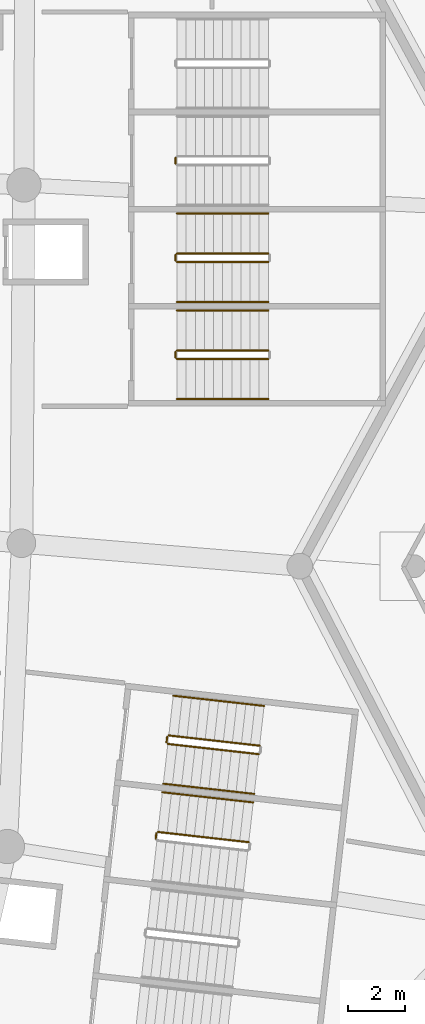
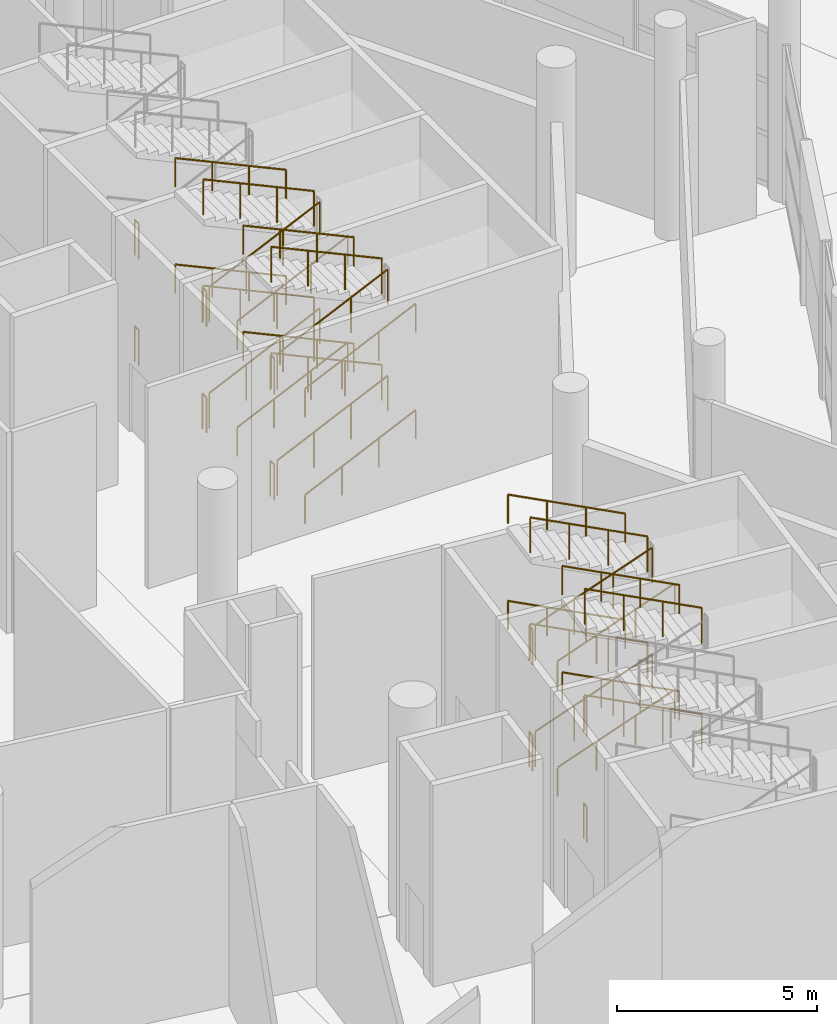
# One storey, part 218 of 255: 38 railings.
"""IFC4 building model written with IfcOpenShell, lengths in metres."""

from ifc_helpers import new_model, si_unit, direction, frame, origin, origin_2d, place, context, subcontext, project, spatial, circle, extrude, material, type_object, element, save


model = new_model("IFC4")

# Units and contexts
model_context = context("Model", 3, precision=1e-05, world=origin(), true_north=direction((0.0, 1.0)))
body_context = subcontext(model_context, "Body", "Model", "MODEL_VIEW")
ifc_project = project(units=[si_unit("LENGTHUNIT", "METRE"), si_unit("AREAUNIT", "SQUARE_METRE"), si_unit("VOLUMEUNIT", "CUBIC_METRE"), si_unit("PLANEANGLEUNIT", "RADIAN"), si_unit("MASSUNIT", "GRAM", prefix="KILO")], contexts=[model_context])

# Site, building, storey
site_placement = place(None, origin())
site = spatial("IfcSite", under=ifc_project, at=site_placement, CompositionType="ELEMENT")
building_placement = place(site_placement, origin())
building = spatial("IfcBuilding", under=site, at=building_placement, Name="Meseta Stadium", CompositionType="ELEMENT")
storey_placement = place(building_placement, origin())
storey = spatial("IfcBuildingStorey", under=building, at=storey_placement, Name="L00", CompositionType="ELEMENT", Elevation=0.0)

# Railings
ifc_material_1 = material(Name="Steel S355", Category="steel")
railing_type_1 = type_object("IfcRailingType", Name="Stair guard 1100", PredefinedType="GUARDRAIL", material=ifc_material_1)
railing_1_placement = place(storey_placement, frame((92.812255859375, -53.412841796875, 1.772705078125)))
element("IfcRailing", 1, at=railing_1_placement, inside=storey, type_object=railing_type_1, Name="ST3 L00 guard 3", PredefinedType="GUARDRAIL", context=body_context, shape_type="SweptSolid", body=[
    extrude(circle(Radius=0.02392578125, at=origin_2d()), frame((0.0, 0.0, 1.076171875), z_axis=(-0.902210289302, 0.10168481418, 0.419138154362), x_axis=(-0.111997244021, -0.993708517288, 0.0)), (0.0, 0.0, 1.0), 3.524658203125),
    extrude(circle(Radius=0.02099609375, at=origin_2d()), origin(), (0.0, 0.0, 1.0), 1.052001953125),
    extrude(circle(Radius=0.02099609375, at=origin_2d()), frame((-1.06005859375, 0.119384765625, 0.492431640625)), (0.0, 0.0, 1.0), 1.052001953125),
    extrude(circle(Radius=0.02099609375, at=origin_2d()), frame((-2.119873046875, 0.239013671875, 0.98486328125)), (0.0, 0.0, 1.0), 1.052001953125),
    extrude(circle(Radius=0.02099609375, at=origin_2d()), frame((-3.179931640625, 0.3583984375, 1.477294921875)), (0.0, 0.0, 1.0), 1.052001953125),
])
railing_2_placement = place(storey_placement, frame((89.5546875, -53.29736328125, 3.25)))
element("IfcRailing", 2, at=railing_2_placement, inside=storey, type_object=railing_type_1, Name="ST3 L00 guard 4", PredefinedType="GUARDRAIL", context=body_context, shape_type="SweptSolid", body=[
    extrude(circle(Radius=0.02392578125, at=origin_2d()), frame((0.0, 0.0, 1.076171875), z_axis=(0.112307083986, 0.993673547442, 0.0), x_axis=(-0.993673547442, 0.112307083986, 0.0)), (0.0, 0.0, 1.0), 0.199951171875),
    extrude(circle(Radius=0.02099609375, at=origin_2d()), origin(), (0.0, 0.0, 1.0), 1.052001953125),
    extrude(circle(Radius=0.02099609375, at=origin_2d()), frame((0.0224609375, 0.19873046875, 0.0)), (0.0, 0.0, 1.0), 1.052001953125),
])
railing_3_placement = place(storey_placement, frame((92.812255859375, -53.412841796875, 5.022705078125)))
element("IfcRailing", 3, at=railing_3_placement, inside=storey, type_object=railing_type_1, Name="ST3 L00 guard 7", PredefinedType="GUARDRAIL", context=body_context, shape_type="SweptSolid", body=[
    extrude(circle(Radius=0.02392578125, at=origin_2d()), frame((0.0, 0.0, 1.076171875), z_axis=(-0.902210289302, 0.10168481418, 0.419138154362), x_axis=(-0.111997244021, -0.993708517288, 0.0)), (0.0, 0.0, 1.0), 3.524658203125),
    extrude(circle(Radius=0.02099609375, at=origin_2d()), origin(), (0.0, 0.0, 1.0), 1.052001953125),
    extrude(circle(Radius=0.02099609375, at=origin_2d()), frame((-1.06005859375, 0.119384765625, 0.492431640625)), (0.0, 0.0, 1.0), 1.052001953125),
    extrude(circle(Radius=0.02099609375, at=origin_2d()), frame((-2.119873046875, 0.239013671875, 0.98486328125)), (0.0, 0.0, 1.0), 1.052001953125),
    extrude(circle(Radius=0.02099609375, at=origin_2d()), frame((-3.179931640625, 0.3583984375, 1.477294921875)), (0.0, 0.0, 1.0), 1.052001953125),
])
railing_4_placement = place(storey_placement, frame((89.5546875, -53.29736328125, 0.0)))
element("IfcRailing", 4, at=railing_4_placement, inside=storey, type_object=railing_type_1, Name="ST3 L00 guard 8", PredefinedType="GUARDRAIL", context=body_context, shape_type="SweptSolid", body=[
    extrude(circle(Radius=0.02392578125, at=origin_2d()), frame((0.0, 0.0, 1.076171875), z_axis=(0.112307083986, 0.993673547442, 0.0), x_axis=(-0.993673547442, 0.112307083986, 0.0)), (0.0, 0.0, 1.0), 0.199951171875),
    extrude(circle(Radius=0.02099609375, at=origin_2d()), origin(), (0.0, 0.0, 1.0), 1.052001953125),
    extrude(circle(Radius=0.02099609375, at=origin_2d()), frame((0.0224609375, 0.19873046875, 0.0)), (0.0, 0.0, 1.0), 1.052001953125),
])
railing_5_placement = place(storey_placement, frame((89.9794921875, -49.973876953125, 0.147705078125)))
element("IfcRailing", 5, at=railing_5_placement, inside=storey, type_object=railing_type_1, Name="ST4 L00 guard 1", PredefinedType="GUARDRAIL", context=body_context, shape_type="SweptSolid", body=[
    extrude(circle(Radius=0.02392578125, at=origin_2d()), frame((0.0, 0.0, 1.076171875), z_axis=(0.902210289302, -0.10168481418, 0.419138154362), x_axis=(0.111997244021, 0.993708517288, 0.0)), (0.0, 0.0, 1.0), 3.524658203125),
    extrude(circle(Radius=0.02099609375, at=origin_2d()), origin(), (0.0, 0.0, 1.0), 1.052001953125),
    extrude(circle(Radius=0.02099609375, at=origin_2d()), frame((1.06005859375, -0.119384765625, 0.492431640625)), (0.0, 0.0, 1.0), 1.052001953125),
    extrude(circle(Radius=0.02099609375, at=origin_2d()), frame((2.119873046875, -0.239013671875, 0.98486328125)), (0.0, 0.0, 1.0), 1.052001953125),
    extrude(circle(Radius=0.02099609375, at=origin_2d()), frame((3.179931640625, -0.3583984375, 1.477294921875)), (0.0, 0.0, 1.0), 1.052001953125),
])
railing_6_placement = place(storey_placement, frame((93.19287109375, -50.0341796875, 1.772705078125)))
element("IfcRailing", 6, at=railing_6_placement, inside=storey, type_object=railing_type_1, Name="ST4 L00 guard 3", PredefinedType="GUARDRAIL", context=body_context, shape_type="SweptSolid", body=[
    extrude(circle(Radius=0.02392578125, at=origin_2d()), frame((0.0, 0.0, 1.076171875), z_axis=(-0.902210289302, 0.10168481418, 0.419138154362), x_axis=(-0.111997244021, -0.993708517288, 0.0)), (0.0, 0.0, 1.0), 3.524658203125),
    extrude(circle(Radius=0.02099609375, at=origin_2d()), origin(), (0.0, 0.0, 1.0), 1.052001953125),
    extrude(circle(Radius=0.02099609375, at=origin_2d()), frame((-1.06005859375, 0.119384765625, 0.492431640625)), (0.0, 0.0, 1.0), 1.052001953125),
    extrude(circle(Radius=0.02099609375, at=origin_2d()), frame((-2.119873046875, 0.239013671875, 0.98486328125)), (0.0, 0.0, 1.0), 1.052001953125),
    extrude(circle(Radius=0.02099609375, at=origin_2d()), frame((-3.179931640625, 0.3583984375, 1.477294921875)), (0.0, 0.0, 1.0), 1.052001953125),
])
railing_7_placement = place(storey_placement, frame((89.935302734375, -49.918701171875, 3.25)))
element("IfcRailing", 7, at=railing_7_placement, inside=storey, type_object=railing_type_1, Name="ST4 L00 guard 4", PredefinedType="GUARDRAIL", context=body_context, shape_type="SweptSolid", body=[
    extrude(circle(Radius=0.02392578125, at=origin_2d()), frame((0.0, 0.0, 1.076171875), z_axis=(0.112307083986, 0.993673547442, 0.0), x_axis=(-0.993673547442, 0.112307083986, 0.0)), (0.0, 0.0, 1.0), 0.199951171875),
    extrude(circle(Radius=0.02099609375, at=origin_2d()), origin(), (0.0, 0.0, 1.0), 1.052001953125),
    extrude(circle(Radius=0.02099609375, at=origin_2d()), frame((0.0224609375, 0.19873046875, 0.0)), (0.0, 0.0, 1.0), 1.052001953125),
])
railing_8_placement = place(storey_placement, frame((89.9794921875, -49.973876953125, 3.397705078125)))
element("IfcRailing", 8, at=railing_8_placement, inside=storey, type_object=railing_type_1, Name="ST4 L00 guard 5", PredefinedType="GUARDRAIL", context=body_context, shape_type="SweptSolid", body=[
    extrude(circle(Radius=0.02392578125, at=origin_2d()), frame((0.0, 0.0, 1.076171875), z_axis=(0.902210289302, -0.10168481418, 0.419138154362), x_axis=(0.111997244021, 0.993708517288, 0.0)), (0.0, 0.0, 1.0), 3.524658203125),
    extrude(circle(Radius=0.02099609375, at=origin_2d()), origin(), (0.0, 0.0, 1.0), 1.052001953125),
    extrude(circle(Radius=0.02099609375, at=origin_2d()), frame((1.06005859375, -0.119384765625, 0.492431640625)), (0.0, 0.0, 1.0), 1.052001953125),
    extrude(circle(Radius=0.02099609375, at=origin_2d()), frame((2.119873046875, -0.239013671875, 0.98486328125)), (0.0, 0.0, 1.0), 1.052001953125),
    extrude(circle(Radius=0.02099609375, at=origin_2d()), frame((3.179931640625, -0.3583984375, 1.477294921875)), (0.0, 0.0, 1.0), 1.052001953125),
])
railing_9_placement = place(storey_placement, frame((93.19287109375, -50.0341796875, 5.022705078125)))
element("IfcRailing", 9, at=railing_9_placement, inside=storey, type_object=railing_type_1, Name="ST4 L00 guard 7", PredefinedType="GUARDRAIL", context=body_context, shape_type="SweptSolid", body=[
    extrude(circle(Radius=0.02392578125, at=origin_2d()), frame((0.0, 0.0, 1.076171875), z_axis=(-0.902210289302, 0.10168481418, 0.419138154362), x_axis=(-0.111997244021, -0.993708517288, 0.0)), (0.0, 0.0, 1.0), 3.524658203125),
    extrude(circle(Radius=0.02099609375, at=origin_2d()), origin(), (0.0, 0.0, 1.0), 1.052001953125),
    extrude(circle(Radius=0.02099609375, at=origin_2d()), frame((-1.06005859375, 0.119384765625, 0.492431640625)), (0.0, 0.0, 1.0), 1.052001953125),
    extrude(circle(Radius=0.02099609375, at=origin_2d()), frame((-2.119873046875, 0.239013671875, 0.98486328125)), (0.0, 0.0, 1.0), 1.052001953125),
    extrude(circle(Radius=0.02099609375, at=origin_2d()), frame((-3.179931640625, 0.3583984375, 1.477294921875)), (0.0, 0.0, 1.0), 1.052001953125),
])
railing_10_placement = place(storey_placement, frame((89.935302734375, -49.918701171875, 0.0)))
element("IfcRailing", 10, at=railing_10_placement, inside=storey, type_object=railing_type_1, Name="ST4 L00 guard 8", PredefinedType="GUARDRAIL", context=body_context, shape_type="SweptSolid", body=[
    extrude(circle(Radius=0.02392578125, at=origin_2d()), frame((0.0, 0.0, 1.076171875), z_axis=(0.112307083986, 0.993673547442, 0.0), x_axis=(-0.993673547442, 0.112307083986, 0.0)), (0.0, 0.0, 1.0), 0.199951171875),
    extrude(circle(Radius=0.02099609375, at=origin_2d()), origin(), (0.0, 0.0, 1.0), 1.052001953125),
    extrude(circle(Radius=0.02099609375, at=origin_2d()), frame((0.0224609375, 0.19873046875, 0.0)), (0.0, 0.0, 1.0), 1.052001953125),
])
railing_11_placement = place(storey_placement, frame((90.300048828125, -36.5, 0.147705078125)))
element("IfcRailing", 11, at=railing_11_placement, inside=storey, type_object=railing_type_1, Name="ST5 L00 guard 1", PredefinedType="GUARDRAIL", context=body_context, shape_type="SweptSolid", body=[
    extrude(circle(Radius=0.02392578125, at=origin_2d()), frame((0.0, 0.0, 1.076171875), z_axis=(0.907916804346, 0.0, 0.419150422148), x_axis=(0.0, 1.0, 0.0)), (0.0, 0.0, 1.0), 3.5244140625),
    extrude(circle(Radius=0.02099609375, at=origin_2d()), origin(), (0.0, 0.0, 1.0), 1.052001953125),
    extrude(circle(Radius=0.02099609375, at=origin_2d()), frame((1.066650390625, 0.0, 0.492431640625)), (0.0, 0.0, 1.0), 1.052001953125),
    extrude(circle(Radius=0.02099609375, at=origin_2d()), frame((2.13330078125, 0.0, 0.98486328125)), (0.0, 0.0, 1.0), 1.052001953125),
    extrude(circle(Radius=0.02099609375, at=origin_2d()), frame((3.199951171875, 0.0, 1.477294921875)), (0.0, 0.0, 1.0), 1.052001953125),
])
railing_12_placement = place(storey_placement, frame((93.5, -36.199951171875, 1.772705078125)))
element("IfcRailing", 12, at=railing_12_placement, inside=storey, type_object=railing_type_1, Name="ST5 L00 guard 3", PredefinedType="GUARDRAIL", context=body_context, shape_type="SweptSolid", body=[
    extrude(circle(Radius=0.02392578125, at=origin_2d()), frame((0.0, 0.0, 1.076171875), z_axis=(-0.907916804346, 0.0, 0.419150422148), x_axis=(0.0, -1.0, 0.0)), (0.0, 0.0, 1.0), 3.5244140625),
    extrude(circle(Radius=0.02099609375, at=origin_2d()), origin(), (0.0, 0.0, 1.0), 1.052001953125),
    extrude(circle(Radius=0.02099609375, at=origin_2d()), frame((-1.066650390625, 0.0, 0.492431640625)), (0.0, 0.0, 1.0), 1.052001953125),
    extrude(circle(Radius=0.02099609375, at=origin_2d()), frame((-2.13330078125, 0.0, 0.98486328125)), (0.0, 0.0, 1.0), 1.052001953125),
    extrude(circle(Radius=0.02099609375, at=origin_2d()), frame((-3.199951171875, 0.0, 1.477294921875)), (0.0, 0.0, 1.0), 1.052001953125),
])
railing_13_placement = place(storey_placement, frame((90.25, -36.449951171875, 3.25)))
element("IfcRailing", 13, at=railing_13_placement, inside=storey, type_object=railing_type_1, Name="ST5 L00 guard 4", PredefinedType="GUARDRAIL", context=body_context, shape_type="SweptSolid", body=[
    extrude(circle(Radius=0.02392578125, at=origin_2d()), frame((0.0, 0.0, 1.076171875), z_axis=(0.0, 1.0, 0.0), x_axis=(-1.0, 0.0, 0.0)), (0.0, 0.0, 1.0), 0.199951171875),
    extrude(circle(Radius=0.02099609375, at=origin_2d()), origin(), (0.0, 0.0, 1.0), 1.052001953125),
    extrude(circle(Radius=0.02099609375, at=origin_2d()), frame((0.0, 0.199951171875, 0.0)), (0.0, 0.0, 1.0), 1.052001953125),
])
railing_14_placement = place(storey_placement, frame((90.300048828125, -36.5, 3.397705078125)))
element("IfcRailing", 14, at=railing_14_placement, inside=storey, type_object=railing_type_1, Name="ST5 L00 guard 5", PredefinedType="GUARDRAIL", context=body_context, shape_type="SweptSolid", body=[
    extrude(circle(Radius=0.02392578125, at=origin_2d()), frame((0.0, 0.0, 1.076171875), z_axis=(0.907916804346, 0.0, 0.419150422148), x_axis=(0.0, 1.0, 0.0)), (0.0, 0.0, 1.0), 3.5244140625),
    extrude(circle(Radius=0.02099609375, at=origin_2d()), origin(), (0.0, 0.0, 1.0), 1.052001953125),
    extrude(circle(Radius=0.02099609375, at=origin_2d()), frame((1.066650390625, 0.0, 0.492431640625)), (0.0, 0.0, 1.0), 1.052001953125),
    extrude(circle(Radius=0.02099609375, at=origin_2d()), frame((2.13330078125, 0.0, 0.98486328125)), (0.0, 0.0, 1.0), 1.052001953125),
    extrude(circle(Radius=0.02099609375, at=origin_2d()), frame((3.199951171875, 0.0, 1.477294921875)), (0.0, 0.0, 1.0), 1.052001953125),
])
railing_15_placement = place(storey_placement, frame((93.5, -36.199951171875, 5.022705078125)))
element("IfcRailing", 15, at=railing_15_placement, inside=storey, type_object=railing_type_1, Name="ST5 L00 guard 7", PredefinedType="GUARDRAIL", context=body_context, shape_type="SweptSolid", body=[
    extrude(circle(Radius=0.02392578125, at=origin_2d()), frame((0.0, 0.0, 1.076171875), z_axis=(-0.907916804346, 0.0, 0.419150422148), x_axis=(0.0, -1.0, 0.0)), (0.0, 0.0, 1.0), 3.5244140625),
    extrude(circle(Radius=0.02099609375, at=origin_2d()), origin(), (0.0, 0.0, 1.0), 1.052001953125),
    extrude(circle(Radius=0.02099609375, at=origin_2d()), frame((-1.066650390625, 0.0, 0.492431640625)), (0.0, 0.0, 1.0), 1.052001953125),
    extrude(circle(Radius=0.02099609375, at=origin_2d()), frame((-2.13330078125, 0.0, 0.98486328125)), (0.0, 0.0, 1.0), 1.052001953125),
    extrude(circle(Radius=0.02099609375, at=origin_2d()), frame((-3.199951171875, 0.0, 1.477294921875)), (0.0, 0.0, 1.0), 1.052001953125),
])
railing_16_placement = place(storey_placement, frame((90.25, -36.449951171875, 0.0)))
element("IfcRailing", 16, at=railing_16_placement, inside=storey, type_object=railing_type_1, Name="ST5 L00 guard 8", PredefinedType="GUARDRAIL", context=body_context, shape_type="SweptSolid", body=[
    extrude(circle(Radius=0.02392578125, at=origin_2d()), frame((0.0, 0.0, 1.076171875), z_axis=(0.0, 1.0, 0.0), x_axis=(-1.0, 0.0, 0.0)), (0.0, 0.0, 1.0), 0.199951171875),
    extrude(circle(Radius=0.02099609375, at=origin_2d()), origin(), (0.0, 0.0, 1.0), 1.052001953125),
    extrude(circle(Radius=0.02099609375, at=origin_2d()), frame((0.0, 0.199951171875, 0.0)), (0.0, 0.0, 1.0), 1.052001953125),
])
railing_17_placement = place(storey_placement, frame((90.300048828125, -33.10009765625, 0.147705078125)))
element("IfcRailing", 17, at=railing_17_placement, inside=storey, type_object=railing_type_1, Name="ST6 L00 guard 1", PredefinedType="GUARDRAIL", context=body_context, shape_type="SweptSolid", body=[
    extrude(circle(Radius=0.02392578125, at=origin_2d()), frame((0.0, 0.0, 1.076171875), z_axis=(0.907916804346, 0.0, 0.419150422148), x_axis=(0.0, 1.0, 0.0)), (0.0, 0.0, 1.0), 3.5244140625),
    extrude(circle(Radius=0.02099609375, at=origin_2d()), origin(), (0.0, 0.0, 1.0), 1.052001953125),
    extrude(circle(Radius=0.02099609375, at=origin_2d()), frame((1.066650390625, 0.0, 0.492431640625)), (0.0, 0.0, 1.0), 1.052001953125),
    extrude(circle(Radius=0.02099609375, at=origin_2d()), frame((2.13330078125, 0.0, 0.98486328125)), (0.0, 0.0, 1.0), 1.052001953125),
    extrude(circle(Radius=0.02099609375, at=origin_2d()), frame((3.199951171875, 0.0, 1.477294921875)), (0.0, 0.0, 1.0), 1.052001953125),
])
railing_18_placement = place(storey_placement, frame((93.5, -32.800048828125, 1.772705078125)))
element("IfcRailing", 18, at=railing_18_placement, inside=storey, type_object=railing_type_1, Name="ST6 L00 guard 3", PredefinedType="GUARDRAIL", context=body_context, shape_type="SweptSolid", body=[
    extrude(circle(Radius=0.02392578125, at=origin_2d()), frame((0.0, 0.0, 1.076171875), z_axis=(-0.907916804346, 0.0, 0.419150422148), x_axis=(0.0, -1.0, 0.0)), (0.0, 0.0, 1.0), 3.5244140625),
    extrude(circle(Radius=0.02099609375, at=origin_2d()), origin(), (0.0, 0.0, 1.0), 1.052001953125),
    extrude(circle(Radius=0.02099609375, at=origin_2d()), frame((-1.066650390625, 0.0, 0.492431640625)), (0.0, 0.0, 1.0), 1.052001953125),
    extrude(circle(Radius=0.02099609375, at=origin_2d()), frame((-2.13330078125, 0.0, 0.98486328125)), (0.0, 0.0, 1.0), 1.052001953125),
    extrude(circle(Radius=0.02099609375, at=origin_2d()), frame((-3.199951171875, 0.0, 1.477294921875)), (0.0, 0.0, 1.0), 1.052001953125),
])
railing_19_placement = place(storey_placement, frame((90.25, -33.050048828125, 3.25)))
element("IfcRailing", 19, at=railing_19_placement, inside=storey, type_object=railing_type_1, Name="ST6 L00 guard 4", PredefinedType="GUARDRAIL", context=body_context, shape_type="SweptSolid", body=[
    extrude(circle(Radius=0.02392578125, at=origin_2d()), frame((0.0, 0.0, 1.076171875), z_axis=(0.0, 1.0, 0.0), x_axis=(-1.0, 0.0, 0.0)), (0.0, 0.0, 1.0), 0.199951171875),
    extrude(circle(Radius=0.02099609375, at=origin_2d()), origin(), (0.0, 0.0, 1.0), 1.052001953125),
    extrude(circle(Radius=0.02099609375, at=origin_2d()), frame((0.0, 0.199951171875, 0.0)), (0.0, 0.0, 1.0), 1.052001953125),
])
railing_20_placement = place(storey_placement, frame((90.300048828125, -33.10009765625, 3.397705078125)))
element("IfcRailing", 20, at=railing_20_placement, inside=storey, type_object=railing_type_1, Name="ST6 L00 guard 5", PredefinedType="GUARDRAIL", context=body_context, shape_type="SweptSolid", body=[
    extrude(circle(Radius=0.02392578125, at=origin_2d()), frame((0.0, 0.0, 1.076171875), z_axis=(0.907916804346, 0.0, 0.419150422148), x_axis=(0.0, 1.0, 0.0)), (0.0, 0.0, 1.0), 3.5244140625),
    extrude(circle(Radius=0.02099609375, at=origin_2d()), origin(), (0.0, 0.0, 1.0), 1.052001953125),
    extrude(circle(Radius=0.02099609375, at=origin_2d()), frame((1.066650390625, 0.0, 0.492431640625)), (0.0, 0.0, 1.0), 1.052001953125),
    extrude(circle(Radius=0.02099609375, at=origin_2d()), frame((2.13330078125, 0.0, 0.98486328125)), (0.0, 0.0, 1.0), 1.052001953125),
    extrude(circle(Radius=0.02099609375, at=origin_2d()), frame((3.199951171875, 0.0, 1.477294921875)), (0.0, 0.0, 1.0), 1.052001953125),
])
railing_21_placement = place(storey_placement, frame((93.5, -32.800048828125, 5.022705078125)))
element("IfcRailing", 21, at=railing_21_placement, inside=storey, type_object=railing_type_1, Name="ST6 L00 guard 7", PredefinedType="GUARDRAIL", context=body_context, shape_type="SweptSolid", body=[
    extrude(circle(Radius=0.02392578125, at=origin_2d()), frame((0.0, 0.0, 1.076171875), z_axis=(-0.907916804346, 0.0, 0.419150422148), x_axis=(0.0, -1.0, 0.0)), (0.0, 0.0, 1.0), 3.5244140625),
    extrude(circle(Radius=0.02099609375, at=origin_2d()), origin(), (0.0, 0.0, 1.0), 1.052001953125),
    extrude(circle(Radius=0.02099609375, at=origin_2d()), frame((-1.066650390625, 0.0, 0.492431640625)), (0.0, 0.0, 1.0), 1.052001953125),
    extrude(circle(Radius=0.02099609375, at=origin_2d()), frame((-2.13330078125, 0.0, 0.98486328125)), (0.0, 0.0, 1.0), 1.052001953125),
    extrude(circle(Radius=0.02099609375, at=origin_2d()), frame((-3.199951171875, 0.0, 1.477294921875)), (0.0, 0.0, 1.0), 1.052001953125),
])
for number, where, name in (
    (22, (90.25, -33.050048828125, 0.0), "ST6 L00 guard 8"),
    (23, (90.25, -29.64990234375, 3.25), "ST7 L00 guard 4"),
    (24, (90.25, -29.64990234375, 0.0), "ST7 L00 guard 8"),
):
    element("IfcRailing", number, at=place(storey_placement, frame(where)), inside=storey, type_object=railing_type_1, Name=name, PredefinedType="GUARDRAIL", context=body_context, shape_type="SweptSolid", body=[
        extrude(circle(Radius=0.02392578125, at=origin_2d()), frame((0.0, 0.0, 1.076171875), z_axis=(0.0, 1.0, 0.0), x_axis=(-1.0, 0.0, 0.0)), (0.0, 0.0, 1.0), 0.199951171875),
        extrude(circle(Radius=0.02099609375, at=origin_2d()), origin(), (0.0, 0.0, 1.0), 1.052001953125),
        extrude(circle(Radius=0.02099609375, at=origin_2d()), frame((0.0, 0.199951171875, 0.0)), (0.0, 0.0, 1.0), 1.052001953125),
    ])
ifc_material_2 = material(Name="Steel S355", Category="steel")
railing_type_2 = type_object("IfcRailingType", Name="Stair handrail 900", PredefinedType="HANDRAIL", material=ifc_material_2)
for number, where, name in (
    (25, (92.968994140625, -52.021484375, 1.772705078125), "ST3 L00 handrail 2"),
    (26, (92.968994140625, -52.021484375, 5.022705078125), "ST3 L00 handrail 4"),
):
    element("IfcRailing", number, at=place(storey_placement, frame(where)), inside=storey, type_object=railing_type_2, Name=name, PredefinedType="HANDRAIL", context=body_context, shape_type="SweptSolid", body=[
        extrude(circle(Radius=0.02392578125, at=origin_2d()), frame((0.0, 0.0, 0.8759765625), z_axis=(-0.902216641888, 0.101616262084, 0.419141105571), x_axis=(-0.11192190762, -0.993717005286, 0.0)), (0.0, 0.0, 1.0), 3.524658203125),
        extrude(circle(Radius=0.02099609375, at=origin_2d()), origin(), (0.0, 0.0, 1.0), 0.851806640625),
        extrude(circle(Radius=0.02099609375, at=origin_2d()), frame((-1.06005859375, 0.119384765625, 0.492431640625)), (0.0, 0.0, 1.0), 0.851806640625),
        extrude(circle(Radius=0.02099609375, at=origin_2d()), frame((-2.119873046875, 0.23876953125, 0.98486328125)), (0.0, 0.0, 1.0), 0.851806640625),
        extrude(circle(Radius=0.02099609375, at=origin_2d()), frame((-3.179931640625, 0.358154296875, 1.477294921875)), (0.0, 0.0, 1.0), 0.851806640625),
    ])
railing_22_placement = place(storey_placement, frame((89.82275390625, -51.365234375, 0.147705078125)))
element("IfcRailing", 27, at=railing_22_placement, inside=storey, type_object=railing_type_2, Name="ST4 L00 handrail 1", PredefinedType="HANDRAIL", context=body_context, shape_type="SweptSolid", body=[
    extrude(circle(Radius=0.02392578125, at=origin_2d()), frame((0.0, 0.0, 0.8759765625), z_axis=(0.902216641888, -0.101616262084, 0.419141105571), x_axis=(0.11192190762, 0.993717005286, 0.0)), (0.0, 0.0, 1.0), 3.524658203125),
    extrude(circle(Radius=0.02099609375, at=origin_2d()), origin(), (0.0, 0.0, 1.0), 0.851806640625),
    extrude(circle(Radius=0.02099609375, at=origin_2d()), frame((1.06005859375, -0.119384765625, 0.492431640625)), (0.0, 0.0, 1.0), 0.851806640625),
    extrude(circle(Radius=0.02099609375, at=origin_2d()), frame((2.119873046875, -0.23876953125, 0.98486328125)), (0.0, 0.0, 1.0), 0.851806640625),
    extrude(circle(Radius=0.02099609375, at=origin_2d()), frame((3.179931640625, -0.358154296875, 1.477294921875)), (0.0, 0.0, 1.0), 0.851806640625),
])
railing_23_placement = place(storey_placement, frame((93.349609375, -48.64306640625, 1.772705078125)))
element("IfcRailing", 28, at=railing_23_placement, inside=storey, type_object=railing_type_2, Name="ST4 L00 handrail 2", PredefinedType="HANDRAIL", context=body_context, shape_type="SweptSolid", body=[
    extrude(circle(Radius=0.02392578125, at=origin_2d()), frame((0.0, 0.0, 0.8759765625), z_axis=(-0.902210289302, 0.10168481418, 0.419138154362), x_axis=(-0.111997244021, -0.993708517288, 0.0)), (0.0, 0.0, 1.0), 3.524658203125),
    extrude(circle(Radius=0.02099609375, at=origin_2d()), origin(), (0.0, 0.0, 1.0), 0.851806640625),
    extrude(circle(Radius=0.02099609375, at=origin_2d()), frame((-1.06005859375, 0.119384765625, 0.492431640625)), (0.0, 0.0, 1.0), 0.851806640625),
    extrude(circle(Radius=0.02099609375, at=origin_2d()), frame((-2.119873046875, 0.239013671875, 0.98486328125)), (0.0, 0.0, 1.0), 0.851806640625),
    extrude(circle(Radius=0.02099609375, at=origin_2d()), frame((-3.179931640625, 0.3583984375, 1.477294921875)), (0.0, 0.0, 1.0), 0.851806640625),
])
railing_24_placement = place(storey_placement, frame((89.82275390625, -51.365234375, 3.397705078125)))
element("IfcRailing", 29, at=railing_24_placement, inside=storey, type_object=railing_type_2, Name="ST4 L00 handrail 3", PredefinedType="HANDRAIL", context=body_context, shape_type="SweptSolid", body=[
    extrude(circle(Radius=0.02392578125, at=origin_2d()), frame((0.0, 0.0, 0.8759765625), z_axis=(0.902216641888, -0.101616262084, 0.419141105571), x_axis=(0.11192190762, 0.993717005286, 0.0)), (0.0, 0.0, 1.0), 3.524658203125),
    extrude(circle(Radius=0.02099609375, at=origin_2d()), origin(), (0.0, 0.0, 1.0), 0.851806640625),
    extrude(circle(Radius=0.02099609375, at=origin_2d()), frame((1.06005859375, -0.119384765625, 0.492431640625)), (0.0, 0.0, 1.0), 0.851806640625),
    extrude(circle(Radius=0.02099609375, at=origin_2d()), frame((2.119873046875, -0.23876953125, 0.98486328125)), (0.0, 0.0, 1.0), 0.851806640625),
    extrude(circle(Radius=0.02099609375, at=origin_2d()), frame((3.179931640625, -0.358154296875, 1.477294921875)), (0.0, 0.0, 1.0), 0.851806640625),
])
railing_25_placement = place(storey_placement, frame((93.349609375, -48.64306640625, 5.022705078125)))
element("IfcRailing", 30, at=railing_25_placement, inside=storey, type_object=railing_type_2, Name="ST4 L00 handrail 4", PredefinedType="HANDRAIL", context=body_context, shape_type="SweptSolid", body=[
    extrude(circle(Radius=0.02392578125, at=origin_2d()), frame((0.0, 0.0, 0.8759765625), z_axis=(-0.902210289302, 0.10168481418, 0.419138154362), x_axis=(-0.111997244021, -0.993708517288, 0.0)), (0.0, 0.0, 1.0), 3.524658203125),
    extrude(circle(Radius=0.02099609375, at=origin_2d()), origin(), (0.0, 0.0, 1.0), 0.851806640625),
    extrude(circle(Radius=0.02099609375, at=origin_2d()), frame((-1.06005859375, 0.119384765625, 0.492431640625)), (0.0, 0.0, 1.0), 0.851806640625),
    extrude(circle(Radius=0.02099609375, at=origin_2d()), frame((-2.119873046875, 0.239013671875, 0.98486328125)), (0.0, 0.0, 1.0), 0.851806640625),
    extrude(circle(Radius=0.02099609375, at=origin_2d()), frame((-3.179931640625, 0.3583984375, 1.477294921875)), (0.0, 0.0, 1.0), 0.851806640625),
])
railing_26_placement = place(storey_placement, frame((90.300048828125, -37.89990234375, 0.147705078125)))
element("IfcRailing", 31, at=railing_26_placement, inside=storey, type_object=railing_type_2, Name="ST5 L00 handrail 1", PredefinedType="HANDRAIL", context=body_context, shape_type="SweptSolid", body=[
    extrude(circle(Radius=0.02392578125, at=origin_2d()), frame((0.0, 0.0, 0.8759765625), z_axis=(0.907916804346, 0.0, 0.419150422148), x_axis=(0.0, 1.0, 0.0)), (0.0, 0.0, 1.0), 3.5244140625),
    extrude(circle(Radius=0.02099609375, at=origin_2d()), origin(), (0.0, 0.0, 1.0), 0.851806640625),
    extrude(circle(Radius=0.02099609375, at=origin_2d()), frame((1.066650390625, 0.0, 0.492431640625)), (0.0, 0.0, 1.0), 0.851806640625),
    extrude(circle(Radius=0.02099609375, at=origin_2d()), frame((2.13330078125, 0.0, 0.98486328125)), (0.0, 0.0, 1.0), 0.851806640625),
    extrude(circle(Radius=0.02099609375, at=origin_2d()), frame((3.199951171875, 0.0, 1.477294921875)), (0.0, 0.0, 1.0), 0.851806640625),
])
railing_27_placement = place(storey_placement, frame((93.5, -34.800048828125, 1.772705078125)))
element("IfcRailing", 32, at=railing_27_placement, inside=storey, type_object=railing_type_2, Name="ST5 L00 handrail 2", PredefinedType="HANDRAIL", context=body_context, shape_type="SweptSolid", body=[
    extrude(circle(Radius=0.02392578125, at=origin_2d()), frame((0.0, 0.0, 0.8759765625), z_axis=(-0.907916804346, 0.0, 0.419150422148), x_axis=(0.0, -1.0, 0.0)), (0.0, 0.0, 1.0), 3.5244140625),
    extrude(circle(Radius=0.02099609375, at=origin_2d()), origin(), (0.0, 0.0, 1.0), 0.851806640625),
    extrude(circle(Radius=0.02099609375, at=origin_2d()), frame((-1.066650390625, 0.0, 0.492431640625)), (0.0, 0.0, 1.0), 0.851806640625),
    extrude(circle(Radius=0.02099609375, at=origin_2d()), frame((-2.13330078125, 0.0, 0.98486328125)), (0.0, 0.0, 1.0), 0.851806640625),
    extrude(circle(Radius=0.02099609375, at=origin_2d()), frame((-3.199951171875, 0.0, 1.477294921875)), (0.0, 0.0, 1.0), 0.851806640625),
])
railing_28_placement = place(storey_placement, frame((90.300048828125, -37.89990234375, 3.397705078125)))
element("IfcRailing", 33, at=railing_28_placement, inside=storey, type_object=railing_type_2, Name="ST5 L00 handrail 3", PredefinedType="HANDRAIL", context=body_context, shape_type="SweptSolid", body=[
    extrude(circle(Radius=0.02392578125, at=origin_2d()), frame((0.0, 0.0, 0.8759765625), z_axis=(0.907916804346, 0.0, 0.419150422148), x_axis=(0.0, 1.0, 0.0)), (0.0, 0.0, 1.0), 3.5244140625),
    extrude(circle(Radius=0.02099609375, at=origin_2d()), origin(), (0.0, 0.0, 1.0), 0.851806640625),
    extrude(circle(Radius=0.02099609375, at=origin_2d()), frame((1.066650390625, 0.0, 0.492431640625)), (0.0, 0.0, 1.0), 0.851806640625),
    extrude(circle(Radius=0.02099609375, at=origin_2d()), frame((2.13330078125, 0.0, 0.98486328125)), (0.0, 0.0, 1.0), 0.851806640625),
    extrude(circle(Radius=0.02099609375, at=origin_2d()), frame((3.199951171875, 0.0, 1.477294921875)), (0.0, 0.0, 1.0), 0.851806640625),
])
railing_29_placement = place(storey_placement, frame((93.5, -34.800048828125, 5.022705078125)))
element("IfcRailing", 34, at=railing_29_placement, inside=storey, type_object=railing_type_2, Name="ST5 L00 handrail 4", PredefinedType="HANDRAIL", context=body_context, shape_type="SweptSolid", body=[
    extrude(circle(Radius=0.02392578125, at=origin_2d()), frame((0.0, 0.0, 0.8759765625), z_axis=(-0.907916804346, 0.0, 0.419150422148), x_axis=(0.0, -1.0, 0.0)), (0.0, 0.0, 1.0), 3.5244140625),
    extrude(circle(Radius=0.02099609375, at=origin_2d()), origin(), (0.0, 0.0, 1.0), 0.851806640625),
    extrude(circle(Radius=0.02099609375, at=origin_2d()), frame((-1.066650390625, 0.0, 0.492431640625)), (0.0, 0.0, 1.0), 0.851806640625),
    extrude(circle(Radius=0.02099609375, at=origin_2d()), frame((-2.13330078125, 0.0, 0.98486328125)), (0.0, 0.0, 1.0), 0.851806640625),
    extrude(circle(Radius=0.02099609375, at=origin_2d()), frame((-3.199951171875, 0.0, 1.477294921875)), (0.0, 0.0, 1.0), 0.851806640625),
])
railing_30_placement = place(storey_placement, frame((90.300048828125, -34.5, 0.147705078125)))
element("IfcRailing", 35, at=railing_30_placement, inside=storey, type_object=railing_type_2, Name="ST6 L00 handrail 1", PredefinedType="HANDRAIL", context=body_context, shape_type="SweptSolid", body=[
    extrude(circle(Radius=0.02392578125, at=origin_2d()), frame((0.0, 0.0, 0.8759765625), z_axis=(0.907916804346, 0.0, 0.419150422148), x_axis=(0.0, 1.0, 0.0)), (0.0, 0.0, 1.0), 3.5244140625),
    extrude(circle(Radius=0.02099609375, at=origin_2d()), origin(), (0.0, 0.0, 1.0), 0.851806640625),
    extrude(circle(Radius=0.02099609375, at=origin_2d()), frame((1.066650390625, 0.0, 0.492431640625)), (0.0, 0.0, 1.0), 0.851806640625),
    extrude(circle(Radius=0.02099609375, at=origin_2d()), frame((2.13330078125, 0.0, 0.98486328125)), (0.0, 0.0, 1.0), 0.851806640625),
    extrude(circle(Radius=0.02099609375, at=origin_2d()), frame((3.199951171875, 0.0, 1.477294921875)), (0.0, 0.0, 1.0), 0.851806640625),
])
railing_31_placement = place(storey_placement, frame((93.5, -31.39990234375, 1.772705078125)))
element("IfcRailing", 36, at=railing_31_placement, inside=storey, type_object=railing_type_2, Name="ST6 L00 handrail 2", PredefinedType="HANDRAIL", context=body_context, shape_type="SweptSolid", body=[
    extrude(circle(Radius=0.02392578125, at=origin_2d()), frame((0.0, 0.0, 0.8759765625), z_axis=(-0.907916804346, 0.0, 0.419150422148), x_axis=(0.0, -1.0, 0.0)), (0.0, 0.0, 1.0), 3.5244140625),
    extrude(circle(Radius=0.02099609375, at=origin_2d()), origin(), (0.0, 0.0, 1.0), 0.851806640625),
    extrude(circle(Radius=0.02099609375, at=origin_2d()), frame((-1.066650390625, 0.0, 0.492431640625)), (0.0, 0.0, 1.0), 0.851806640625),
    extrude(circle(Radius=0.02099609375, at=origin_2d()), frame((-2.13330078125, 0.0, 0.98486328125)), (0.0, 0.0, 1.0), 0.851806640625),
    extrude(circle(Radius=0.02099609375, at=origin_2d()), frame((-3.199951171875, 0.0, 1.477294921875)), (0.0, 0.0, 1.0), 0.851806640625),
])
railing_32_placement = place(storey_placement, frame((90.300048828125, -34.5, 3.397705078125)))
element("IfcRailing", 37, at=railing_32_placement, inside=storey, type_object=railing_type_2, Name="ST6 L00 handrail 3", PredefinedType="HANDRAIL", context=body_context, shape_type="SweptSolid", body=[
    extrude(circle(Radius=0.02392578125, at=origin_2d()), frame((0.0, 0.0, 0.8759765625), z_axis=(0.907916804346, 0.0, 0.419150422148), x_axis=(0.0, 1.0, 0.0)), (0.0, 0.0, 1.0), 3.5244140625),
    extrude(circle(Radius=0.02099609375, at=origin_2d()), origin(), (0.0, 0.0, 1.0), 0.851806640625),
    extrude(circle(Radius=0.02099609375, at=origin_2d()), frame((1.066650390625, 0.0, 0.492431640625)), (0.0, 0.0, 1.0), 0.851806640625),
    extrude(circle(Radius=0.02099609375, at=origin_2d()), frame((2.13330078125, 0.0, 0.98486328125)), (0.0, 0.0, 1.0), 0.851806640625),
    extrude(circle(Radius=0.02099609375, at=origin_2d()), frame((3.199951171875, 0.0, 1.477294921875)), (0.0, 0.0, 1.0), 0.851806640625),
])
railing_33_placement = place(storey_placement, frame((93.5, -31.39990234375, 5.022705078125)))
element("IfcRailing", 38, at=railing_33_placement, inside=storey, type_object=railing_type_2, Name="ST6 L00 handrail 4", PredefinedType="HANDRAIL", context=body_context, shape_type="SweptSolid", body=[
    extrude(circle(Radius=0.02392578125, at=origin_2d()), frame((0.0, 0.0, 0.8759765625), z_axis=(-0.907916804346, 0.0, 0.419150422148), x_axis=(0.0, -1.0, 0.0)), (0.0, 0.0, 1.0), 3.5244140625),
    extrude(circle(Radius=0.02099609375, at=origin_2d()), origin(), (0.0, 0.0, 1.0), 0.851806640625),
    extrude(circle(Radius=0.02099609375, at=origin_2d()), frame((-1.066650390625, 0.0, 0.492431640625)), (0.0, 0.0, 1.0), 0.851806640625),
    extrude(circle(Radius=0.02099609375, at=origin_2d()), frame((-2.13330078125, 0.0, 0.98486328125)), (0.0, 0.0, 1.0), 0.851806640625),
    extrude(circle(Radius=0.02099609375, at=origin_2d()), frame((-3.199951171875, 0.0, 1.477294921875)), (0.0, 0.0, 1.0), 0.851806640625),
])

save(model, "model.ifc")
